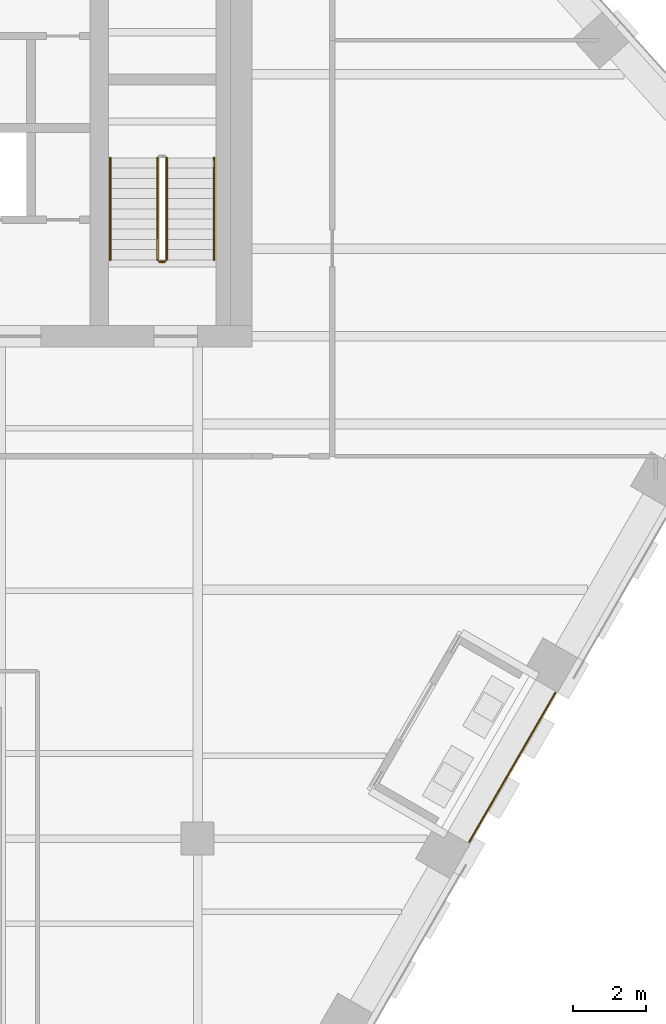
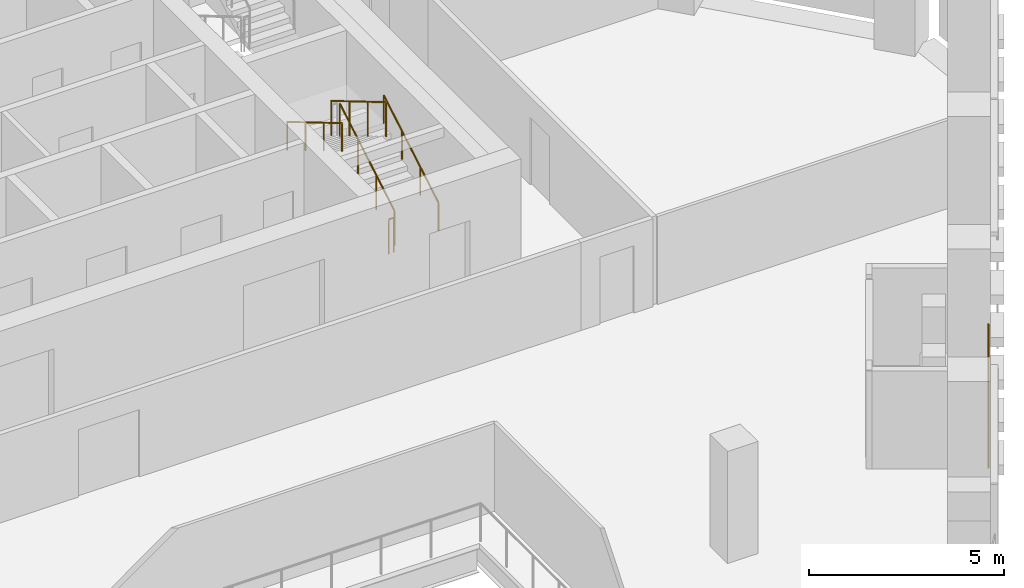
# One storey, part 21 of 24: 6 railings.
"""IFC4 building model written with IfcOpenShell, lengths in metres."""

from ifc_helpers import new_model, si_unit, direction, frame, origin, origin_2d, place, context, subcontext, project, spatial, circle, extrude, material, type_object, element, save


model = new_model("IFC4")

# Units and contexts
model_context = context("Model", 3, precision=1e-05, world=origin(), true_north=direction((0.0, 1.0)))
body_context = subcontext(model_context, "Body", "Model", "MODEL_VIEW")
ifc_project = project(units=[si_unit("LENGTHUNIT", "METRE"), si_unit("AREAUNIT", "SQUARE_METRE"), si_unit("VOLUMEUNIT", "CUBIC_METRE"), si_unit("PLANEANGLEUNIT", "RADIAN"), si_unit("MASSUNIT", "GRAM", prefix="KILO")], contexts=[model_context])

# Site, building, storey
site_placement = place(None, origin())
site = spatial("IfcSite", under=ifc_project, at=site_placement, CompositionType="ELEMENT")
building_placement = place(site_placement, origin())
building = spatial("IfcBuilding", under=site, at=building_placement, Name="Isthmus Gate Tower", CompositionType="ELEMENT")
storey_placement = place(building_placement, frame((0.0, 0.0, 234.550048828125)))
storey = spatial("IfcBuildingStorey", under=building, at=storey_placement, Name="L59", CompositionType="ELEMENT", Elevation=234.550048828125)

# Railings
ifc_material_1 = material(Name="Toughened laminated glass with stainless steel posts", Category="steel")
railing_type_1 = type_object("IfcRailingType", Name="GUARD 1200 FRAMELESS GLASS", PredefinedType="GUARDRAIL", material=ifc_material_1)
railing_1_placement = place(storey_placement, frame((20.962158203125, -13.592529296875, 0.0)))
element("IfcRailing", 1, at=railing_1_placement, inside=storey, type_object=railing_type_1, Name="LOGGIA GUARD", PredefinedType="GUARDRAIL", context=body_context, shape_type="SweptSolid", body=[
    extrude(circle(Radius=0.02490234375, at=origin_2d()), frame((0.0, 0.0, 1.1748046875), z_axis=(0.500002418582, 0.866024007411, 0.0), x_axis=(-0.866024007411, 0.500002418582, 0.0)), (0.0, 0.0, 1.0), 4.73046875),
    extrude(circle(Radius=0.02490234375, at=origin_2d()), origin(), (0.0, 0.0, 1.0), 1.14990234375),
    extrude(circle(Radius=0.02490234375, at=origin_2d()), frame((0.59130859375, 1.024169921875, 0.0)), (0.0, 0.0, 1.0), 1.14990234375),
    extrude(circle(Radius=0.02490234375, at=origin_2d()), frame((1.1826171875, 2.04833984375, 0.0)), (0.0, 0.0, 1.0), 1.14990234375),
    extrude(circle(Radius=0.02490234375, at=origin_2d()), frame((1.77392578125, 3.072509765625, 0.0)), (0.0, 0.0, 1.0), 1.14990234375),
    extrude(circle(Radius=0.02490234375, at=origin_2d()), frame((2.365234375, 4.0966796875, 0.0)), (0.0, 0.0, 1.0), 1.14990234375),
])
ifc_material_2 = material(Name="Stainless steel balustrade", Category="steel")
railing_type_2 = type_object("IfcRailingType", Name="STAIR GUARD 1100", PredefinedType="GUARDRAIL", material=ifc_material_2)
railing_2_placement = place(storey_placement, frame((12.64990234375, 2.39990234375, 0.165771484375)))
element("IfcRailing", 2, at=railing_2_placement, inside=storey, type_object=railing_type_2, Name="L59 ST8 stair guard 1", PredefinedType="GUARDRAIL", context=body_context, shape_type="SweptSolid", body=[
    extrude(circle(Radius=0.02392578125, at=origin_2d()), frame((0.0, 0.0, 1.076171875), z_axis=(0.0, 0.860306154799, 0.50977771628), x_axis=(-1.0, 0.0, 0.0)), (0.0, 0.0, 1.0), 3.254638671875),
    extrude(circle(Radius=0.02099609375, at=origin_2d()), origin(), (0.0, 0.0, 1.0), 1.052001953125),
    extrude(circle(Radius=0.02099609375, at=origin_2d()), frame((0.0, 0.933349609375, 0.552978515625)), (0.0, 0.0, 1.0), 1.052001953125),
    extrude(circle(Radius=0.02099609375, at=origin_2d()), frame((0.0, 1.86669921875, 1.106201171875)), (0.0, 0.0, 1.0), 1.052001953125),
    extrude(circle(Radius=0.02099609375, at=origin_2d()), frame((0.0, 2.800048828125, 1.6591796875)), (0.0, 0.0, 1.0), 1.052001953125),
])
railing_3_placement = place(storey_placement, frame((12.39990234375, 5.199951171875, 1.990966796875)))
element("IfcRailing", 3, at=railing_3_placement, inside=storey, type_object=railing_type_2, Name="L59 ST8 stair guard 3", PredefinedType="GUARDRAIL", context=body_context, shape_type="SweptSolid", body=[
    extrude(circle(Radius=0.02392578125, at=origin_2d()), frame((0.0, 0.0, 1.076171875), z_axis=(0.0, -0.860339051648, 0.50972219513), x_axis=(1.0, 0.0, 0.0)), (0.0, 0.0, 1.0), 3.254638671875),
    extrude(circle(Radius=0.02099609375, at=origin_2d()), origin(), (0.0, 0.0, 1.0), 1.052001953125),
    extrude(circle(Radius=0.02099609375, at=origin_2d()), frame((0.0, -0.933349609375, 0.552978515625)), (0.0, 0.0, 1.0), 1.052001953125),
    extrude(circle(Radius=0.02099609375, at=origin_2d()), frame((0.0, -1.86669921875, 1.10595703125)), (0.0, 0.0, 1.0), 1.052001953125),
    extrude(circle(Radius=0.02099609375, at=origin_2d()), frame((0.0, -2.800048828125, 1.658935546875)), (0.0, 0.0, 1.0), 1.052001953125),
])
railing_4_placement = place(storey_placement, frame((12.60009765625, 2.35009765625, 0.0)))
element("IfcRailing", 4, at=railing_4_placement, inside=storey, type_object=railing_type_2, Name="L59 ST8 stair guard 4", PredefinedType="GUARDRAIL", context=body_context, shape_type="SweptSolid", body=[
    extrude(circle(Radius=0.02392578125, at=origin_2d()), frame((0.0, 0.0, 1.076171875), z_axis=(-1.0, 0.0, 0.0), x_axis=(0.0, -1.0, 0.0)), (0.0, 0.0, 1.0), 0.150146484375),
    extrude(circle(Radius=0.02099609375, at=origin_2d()), origin(), (0.0, 0.0, 1.0), 1.052001953125),
    extrude(circle(Radius=0.02099609375, at=origin_2d()), frame((-0.150146484375, 0.0, 0.0)), (0.0, 0.0, 1.0), 1.052001953125),
])
ifc_material_3 = material(Name="Stainless steel handrail", Category="steel")
railing_type_3 = type_object("IfcRailingType", Name="STAIR HANDRAIL 900", PredefinedType="HANDRAIL", material=ifc_material_3)
railing_5_placement = place(storey_placement, frame((13.949951171875, 2.39990234375, 0.165771484375)))
element("IfcRailing", 5, at=railing_5_placement, inside=storey, type_object=railing_type_3, Name="L59 ST8 stair handrail 1", PredefinedType="HANDRAIL", context=body_context, shape_type="SweptSolid", body=[
    extrude(circle(Radius=0.02392578125, at=origin_2d()), frame((0.0, 0.0, 0.8759765625), z_axis=(0.0, 0.860306154799, 0.50977771628), x_axis=(-1.0, 0.0, 0.0)), (0.0, 0.0, 1.0), 3.254638671875),
    extrude(circle(Radius=0.02099609375, at=origin_2d()), origin(), (0.0, 0.0, 1.0), 0.851806640625),
    extrude(circle(Radius=0.02099609375, at=origin_2d()), frame((0.0, 0.933349609375, 0.552978515625)), (0.0, 0.0, 1.0), 0.851806640625),
    extrude(circle(Radius=0.02099609375, at=origin_2d()), frame((0.0, 1.86669921875, 1.106201171875)), (0.0, 0.0, 1.0), 0.851806640625),
    extrude(circle(Radius=0.02099609375, at=origin_2d()), frame((0.0, 2.800048828125, 1.6591796875)), (0.0, 0.0, 1.0), 0.851806640625),
])
railing_6_placement = place(storey_placement, frame((11.10009765625, 5.199951171875, 1.990966796875)))
element("IfcRailing", 6, at=railing_6_placement, inside=storey, type_object=railing_type_3, Name="L59 ST8 stair handrail 2", PredefinedType="HANDRAIL", context=body_context, shape_type="SweptSolid", body=[
    extrude(circle(Radius=0.02392578125, at=origin_2d()), frame((0.0, 0.0, 0.8759765625), z_axis=(0.0, -0.860339051648, 0.50972219513), x_axis=(1.0, 0.0, 0.0)), (0.0, 0.0, 1.0), 3.254638671875),
    extrude(circle(Radius=0.02099609375, at=origin_2d()), origin(), (0.0, 0.0, 1.0), 0.851806640625),
    extrude(circle(Radius=0.02099609375, at=origin_2d()), frame((0.0, -0.933349609375, 0.552978515625)), (0.0, 0.0, 1.0), 0.851806640625),
    extrude(circle(Radius=0.02099609375, at=origin_2d()), frame((0.0, -1.86669921875, 1.10595703125)), (0.0, 0.0, 1.0), 0.851806640625),
    extrude(circle(Radius=0.02099609375, at=origin_2d()), frame((0.0, -2.800048828125, 1.658935546875)), (0.0, 0.0, 1.0), 0.851806640625),
])

save(model, "model.ifc")
